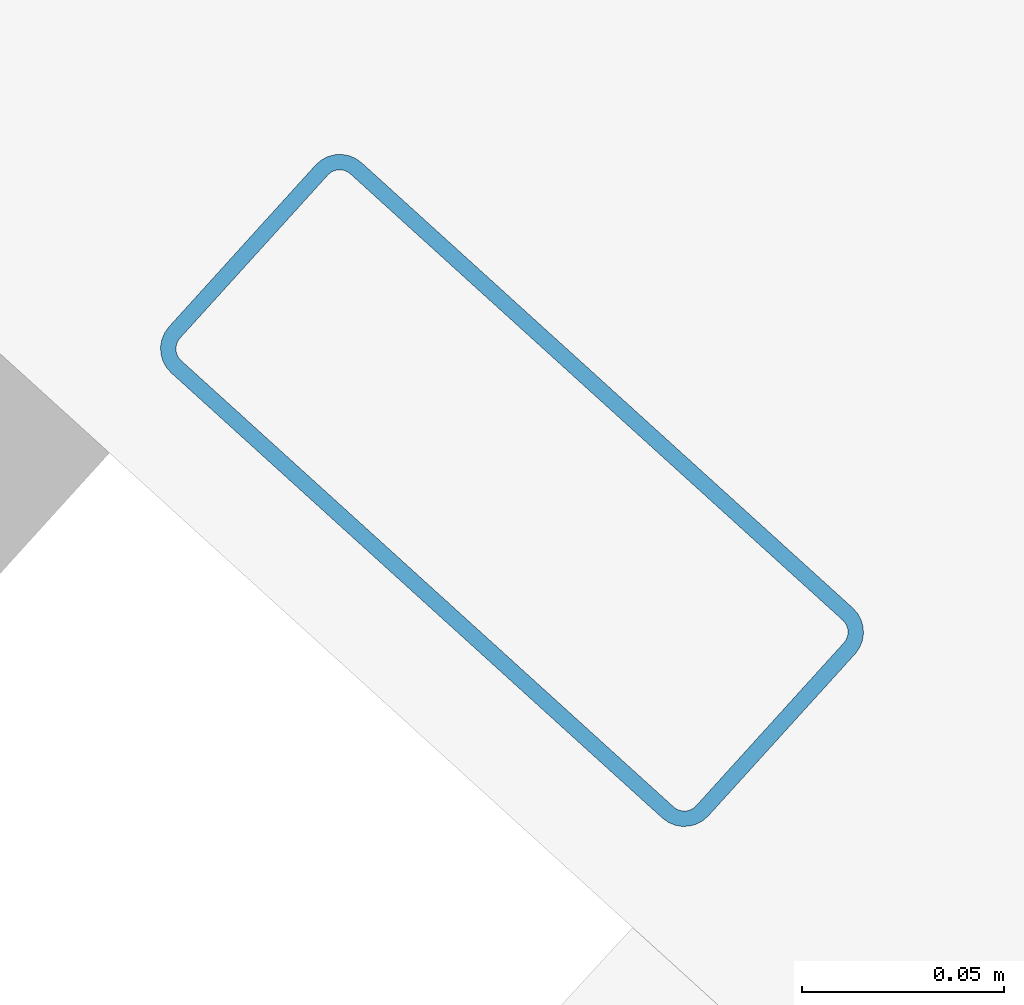
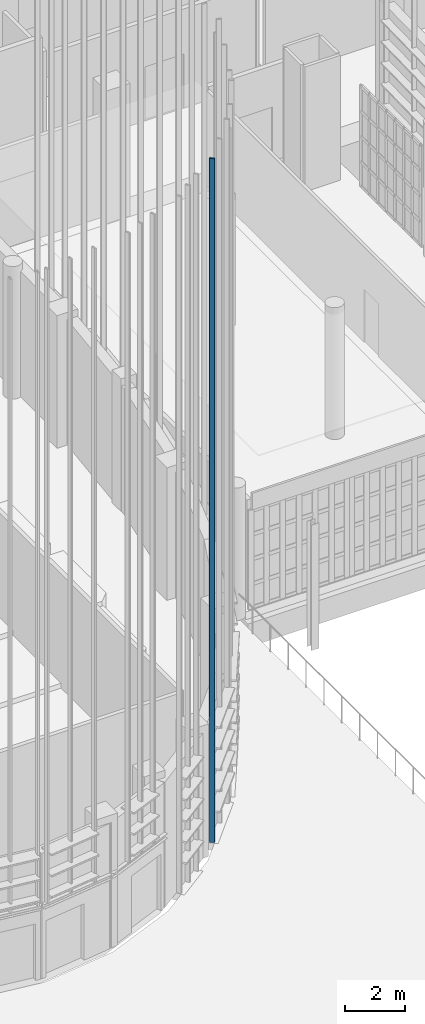
# One storey, part 55 of 372: 1 member.
"""IFC4 building model written with IfcOpenShell, lengths in metres."""

import ifcopenshell
import ifcopenshell.guid

model = None  # the IFC model being written
_history = None  # IfcOwnerHistory: only IFC2X3 demands one
_inside = {}  # id of a spatial element -> (the spatial element, [elements in it])
_under = {}  # id of a project, library or spatial element -> (it, [spatial elements below it])
_declared = {}  # id of a project -> (the project, [libraries it declares])
_typed = {}  # id of a type object -> (the type object, [elements of that type])
_made_of = {}  # id of a material, layer set ... -> (it, [elements and type objects made of it])


def new_model(schema):
    """Start an empty IFC model of exactly this schema.

    Asked for "IFC4X3", IfcOpenShell would pick the latest addendum, in which some entities
    have other attributes; the version numbers below select the first issue.
    IFC2X3 requires an IfcOwnerHistory on every rooted entity: one is made here for all.
    """
    global model, _history
    if schema == "IFC4X3":
        model = ifcopenshell.file(schema_version=(4, 3, 0, 0))
    else:
        model = ifcopenshell.file(schema=schema)
    _inside.clear()
    _under.clear()
    _declared.clear()
    _typed.clear()
    _made_of.clear()
    _history = None
    if model.schema == "IFC2X3":
        org = make("IfcOrganization", Name="unknown")
        user = make(
            "IfcPersonAndOrganization",
            ThePerson=make("IfcPerson", FamilyName="unknown"),
            TheOrganization=org,
        )
        app = make(
            "IfcApplication",
            ApplicationDeveloper=org,
            Version="unknown",
            ApplicationFullName="unknown",
            ApplicationIdentifier="unknown",
        )
        _history = make(
            "IfcOwnerHistory",
            OwningUser=user,
            OwningApplication=app,
            ChangeAction="ADDED",
            CreationDate=0,
        )
    return model


def make(cls, **values):
    """One entity of the class cls with the attributes given. An attribute that is None is left unset."""
    return model.create_entity(
        cls, **{name: value for name, value in values.items() if value is not None}
    )


def rooted(cls, **values):
    """An entity with a GlobalId (a new one), such as an element, a storey or a relation."""
    return make(cls, GlobalId=ifcopenshell.guid.new(), OwnerHistory=_history, **values)


def si_unit(unit_type, name, prefix=None):
    """IfcSIUnit, for example si_unit("LENGTHUNIT", "METRE", prefix="MILLI")."""
    return make("IfcSIUnit", UnitType=unit_type, Prefix=prefix, Name=name)


def assignment(units):
    """IfcUnitAssignment: the units of a project."""
    return None if units is None else make("IfcUnitAssignment", Units=units)


def point(xyz):
    """IfcCartesianPoint."""
    return None if xyz is None else make("IfcCartesianPoint", Coordinates=xyz)


def direction(xyz):
    """IfcDirection."""
    return None if xyz is None else make("IfcDirection", DirectionRatios=xyz)


def frame(location, z_axis=None, x_axis=None):
    """IfcAxis2Placement3D, a coordinate frame: its origin and axes. An axis left out is left unset."""
    return make(
        "IfcAxis2Placement3D",
        Location=point(location),
        Axis=direction(z_axis),
        RefDirection=direction(x_axis),
    )


def frame_2d(location, x_axis=None):
    """IfcAxis2Placement2D, a coordinate frame in the plane: its origin and x axis."""
    return make(
        "IfcAxis2Placement2D", Location=point(location), RefDirection=direction(x_axis)
    )


def origin():
    """The frame at (0, 0, 0) with its axes left unset."""
    return frame((0.0, 0.0, 0.0))


def origin_2d():
    """The frame at (0, 0) in the plane with its x axis left unset."""
    return frame_2d((0.0, 0.0))


def place(relative_to, where):
    """IfcLocalPlacement: puts the frame where relative to a parent placement (None: the world)."""
    return make(
        "IfcLocalPlacement", PlacementRelTo=relative_to, RelativePlacement=where
    )


def context(
    kind, dimensions, precision=None, world=None, true_north=None, identifier=None
):
    """IfcGeometricRepresentationContext, for example the 3D "Model" context."""
    return make(
        "IfcGeometricRepresentationContext",
        ContextIdentifier=identifier,
        ContextType=kind,
        CoordinateSpaceDimension=dimensions,
        Precision=precision,
        WorldCoordinateSystem=world,
        TrueNorth=true_north,
    )


def subcontext(parent, identifier, kind, view, scale=None):
    """IfcGeometricRepresentationSubContext, for example "Body" below "Model"."""
    return make(
        "IfcGeometricRepresentationSubContext",
        ContextIdentifier=identifier,
        ContextType=kind,
        ParentContext=parent,
        TargetScale=scale,
        TargetView=view,
    )


def project(units=None, contexts=None):
    """IfcProject with its units and contexts."""
    return rooted(
        "IfcProject",
        Name="project",
        RepresentationContexts=contexts,
        UnitsInContext=assignment(units),
    )


def spatial(cls, under=None, at=None, **own):
    """A site, building, storey or space (cls), placed at a placement, below another one or the project."""
    s = rooted(cls, ObjectPlacement=at, **own)
    if under is not None:
        _under.setdefault(under.id(), (under, []))[1].append(s)
    return s


def profile(cls, at=None, kind="AREA", **sizes):
    """A parametric profile (cls). Its sizes go by their IFC names, for example OverallWidth=200.0."""
    return make(cls, ProfileType=kind, Position=at, **sizes)


def hollow_rectangle(**sizes):
    """IfcRectangleHollowProfileDef."""
    return profile("IfcRectangleHollowProfileDef", **sizes)


def extrude(swept, where, along, depth):
    """IfcExtrudedAreaSolid: the profile swept, set in the frame where, extruded along a direction by depth."""
    return make(
        "IfcExtrudedAreaSolid",
        SweptArea=swept,
        Position=where,
        ExtrudedDirection=direction(along),
        Depth=depth,
    )


def shape(context_of_items, identifier, shape_type, items):
    """IfcShapeRepresentation: the items that make up one representation, for example the "Body"."""
    return make(
        "IfcShapeRepresentation",
        ContextOfItems=context_of_items,
        RepresentationIdentifier=identifier,
        RepresentationType=shape_type,
        Items=items,
    )


def material(Name=None, Category=None):
    """IfcMaterial."""
    return make("IfcMaterial", Name=Name, Category=Category)


def material_profile(
    of_material, cross_section, Name=None, Category=None, Priority=None
):
    """IfcMaterialProfile: a cross section and its material."""
    return make(
        "IfcMaterialProfile",
        Name=Name,
        Material=of_material,
        Profile=cross_section,
        Priority=Priority,
        Category=Category,
    )


def profile_set(profiles, Name=None, composite=None):
    """IfcMaterialProfileSet."""
    return make(
        "IfcMaterialProfileSet",
        Name=Name,
        MaterialProfiles=profiles,
        CompositeProfile=composite,
    )


def made_of(thing, what):
    """Note that an element or type object is made of a material, layer set ...; save() writes the relation."""
    if what is not None:
        _made_of.setdefault(what.id(), (what, []))[1].append(thing)
    return thing


def type_object(cls, material=None, **own):
    """A type object (cls), such as IfcWallType, which elements share."""
    return made_of(rooted(cls, **own), material)


def element(
    cls,
    number,
    at=None,
    inside=None,
    cuts=None,
    type_object=None,
    material=None,
    context=None,
    identifier="Body",
    shape_type=None,
    held_by="IfcProductDefinitionShape",
    body=None,
    shapes=None,
    **own,
):
    """One element of the class cls, such as IfcWall. Its Tag is "e" and its number.

    at: its placement. inside: the storey or other place that contains it. cuts: it is an
    opening in that element (IfcRelVoidsElement). A single representation is given by context,
    identifier, shape_type and body (its items); several are given by shapes. held_by: the class
    of the entity that holds the representations. save() writes the other relations.
    """
    e = rooted(cls, Tag="e%d" % number, ObjectPlacement=at, **own)
    if body is not None:
        shapes = [shape(context, identifier, shape_type, body)]
    if shapes is not None:
        e.Representation = make(held_by, Representations=shapes)
    if inside is not None:
        _inside.setdefault(inside.id(), (inside, []))[1].append(e)
    if cuts is not None:
        rooted(
            "IfcRelVoidsElement", RelatingBuildingElement=cuts, RelatedOpeningElement=e
        )
    if type_object is not None:
        _typed.setdefault(type_object.id(), (type_object, []))[1].append(e)
    return made_of(e, material)


def aggregate(whole, parts):
    """IfcRelAggregates: a whole, such as a stair, and the parts it consists of."""
    return rooted("IfcRelAggregates", RelatingObject=whole, RelatedObjects=parts)


def save(model, path):
    """Write the relations noted so far, then the file.

    IfcRelAggregates (storeys below a building ...), IfcRelContainedInSpatialStructure (elements
    in a storey), IfcRelDefinesByType, IfcRelAssociatesMaterial and IfcRelDeclares: one each for
    every whole, place, type object, material and project.
    """
    for whole, parts in _under.values():
        aggregate(whole, parts)
    for where, things in _inside.values():
        rooted(
            "IfcRelContainedInSpatialStructure",
            RelatedElements=things,
            RelatingStructure=where,
        )
    for kind, things in _typed.values():
        rooted("IfcRelDefinesByType", RelatedObjects=things, RelatingType=kind)
    for what, things in _made_of.values():
        rooted("IfcRelAssociatesMaterial", RelatedObjects=things, RelatingMaterial=what)
    for by, libraries in _declared.values():
        rooted("IfcRelDeclares", RelatingContext=by, RelatedDefinitions=libraries)
    model.write(path)


model = new_model("IFC4")

# Units and contexts
model_context = context("Model", 3, precision=1e-05, world=origin(), true_north=direction((0.0, 1.0)))
body_context = subcontext(model_context, "Body", "Model", "MODEL_VIEW")
ifc_project = project(units=[si_unit("LENGTHUNIT", "METRE"), si_unit("AREAUNIT", "SQUARE_METRE"), si_unit("VOLUMEUNIT", "CUBIC_METRE"), si_unit("PLANEANGLEUNIT", "RADIAN"), si_unit("MASSUNIT", "GRAM", prefix="KILO")], contexts=[model_context])

# Site, building, storey
site_placement = place(None, origin())
site = spatial("IfcSite", under=ifc_project, at=site_placement, CompositionType="ELEMENT")
building_placement = place(site_placement, origin())
building = spatial("IfcBuilding", under=site, at=building_placement, Name="Kaelora Sail Theatre", CompositionType="ELEMENT")
storey_placement = place(building_placement, origin())
storey = spatial("IfcBuildingStorey", under=building, at=storey_placement, Name="L00", CompositionType="ELEMENT", Elevation=0.0)

# Member
ifc_material = material(Name="Anodised aluminium 6063-T6", Category="aluminium")
ifc_material_profile = material_profile(ifc_material, hollow_rectangle(XDim=0.070068359375, YDim=0.179931640625, WallThickness=0.00390625, InnerFilletRadius=0.00390625, OuterFilletRadius=0.008056640625, at=origin_2d()), Name="ALU-MULL 70x180x4")
ifc_profile_set = profile_set([ifc_material_profile], Name="Anodised aluminium 6063-T6")
member_type = type_object("IfcMemberType", Name="ARC-MEM-PST-160", PredefinedType="POST", material=ifc_profile_set)
member_placement = place(storey_placement, frame((50.919921875, 27.680419921875, 0.0), z_axis=(0.0, 0.0, 1.0), x_axis=(-0.6715912843, -0.740921822362, 0.0)))
element("IfcMember", 1, at=member_placement, inside=storey, type_object=member_type, Name="Main Theatre Sail Drum solar louvre vertical support post C8-3", PredefinedType="POST", context=body_context, shape_type="SweptSolid", body=[
    extrude(hollow_rectangle(XDim=0.070068359375, YDim=0.179931640625, WallThickness=0.00390625, InnerFilletRadius=0.00390625, OuterFilletRadius=0.008056640625, at=origin_2d()), origin(), (0.0, 0.0, 1.0), 27.846435546875),
])

save(model, "model.ifc")
